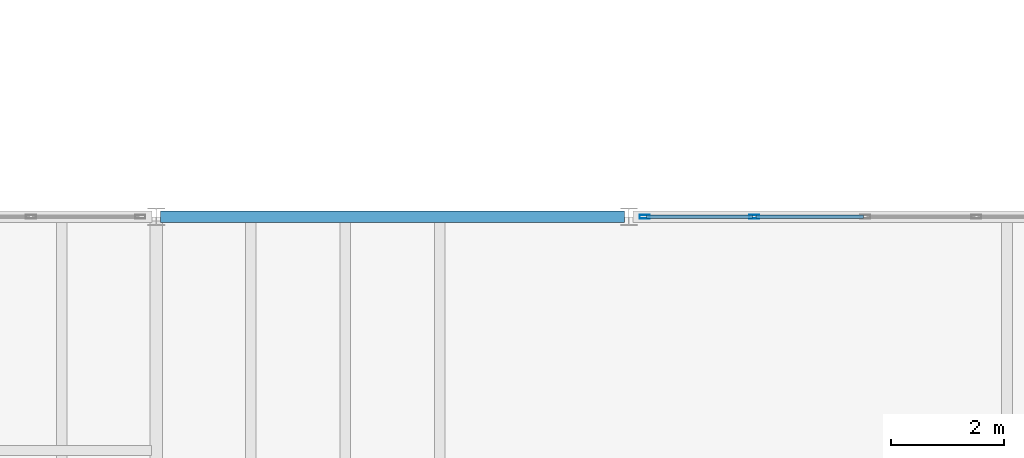
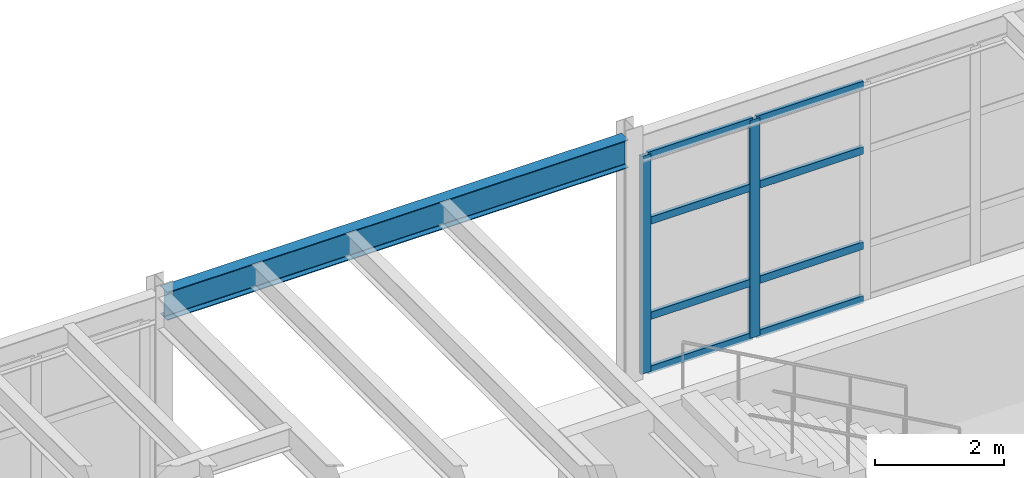
# One storey, part 53 of 116: 10 members, 1 beam, 1 element without a shape of its own.
"""IFC4 building model written with IfcOpenShell, lengths in metres."""

from ifc_helpers import new_model, si_unit, direction, frame, origin, origin_2d, place, context, subcontext, project, spatial, hollow_rectangle, i_section, extrude, material, layer, layer_set, material_profile, profile_set, type_object, element, aggregate, save


model = new_model("IFC4")

# Units and contexts
model_context = context("Model", 3, precision=1e-05, world=origin(), true_north=direction((0.0, 1.0)))
body_context = subcontext(model_context, "Body", "Model", "MODEL_VIEW")
ifc_project = project(units=[si_unit("LENGTHUNIT", "METRE"), si_unit("AREAUNIT", "SQUARE_METRE"), si_unit("VOLUMEUNIT", "CUBIC_METRE"), si_unit("PLANEANGLEUNIT", "RADIAN"), si_unit("MASSUNIT", "GRAM", prefix="KILO")], contexts=[model_context])

# Site, building, storey
site_placement = place(None, origin())
site = spatial("IfcSite", under=ifc_project, at=site_placement, CompositionType="ELEMENT")
building_placement = place(site_placement, origin())
building = spatial("IfcBuilding", under=site, at=building_placement, Name="Selat Folded Stagehouse", CompositionType="ELEMENT")
storey_placement = place(building_placement, frame((0.0, 0.0, 5.39990234375)))
storey = spatial("IfcBuildingStorey", under=building, at=storey_placement, Name="L01", CompositionType="ELEMENT", Elevation=5.39990234375)

# Beam
ifc_material_1 = material(Name="Steel S355", Category="steel")
ifc_material_profile_1 = material_profile(ifc_material_1, i_section(OverallWidth=0.209228515625, OverallDepth=0.533203125, WebThickness=0.010009765625, FlangeThickness=0.015625, FilletRadius=0.0126953125, at=origin_2d()), Name="UKB 533x210x92")
ifc_profile_set_1 = profile_set([ifc_material_profile_1], Name="Steel S355")
beam_type = type_object("IfcBeamType", Name="BM-GIRD-533x210x92", PredefinedType="BEAM", material=ifc_profile_set_1)
beam_placement = place(storey_placement, frame((92.47705078125, 17.800048828125, 4.3134765625), z_axis=(1.0, 0.0, 0.0), x_axis=(0.0, 1.0, 0.0)))
element("IfcBeam", 1, at=beam_placement, inside=storey, type_object=beam_type, Name="L01 primary x-girder 0773", PredefinedType="BEAM", context=body_context, shape_type="SweptSolid", body=[
    extrude(i_section(OverallWidth=0.209228515625, OverallDepth=0.533203125, WebThickness=0.010009765625, FlangeThickness=0.015625, FilletRadius=0.0126953125, at=origin_2d()), origin(), (0.0, 0.0, 1.0), 8.245849609375),
])

# Curtain wall, members
ifc_material_2 = material(Name="Aluminium 6063-T6", Category="aluminium")
ifc_layer = layer(ifc_material_2, 0.195068359375)
ifc_layer_set = layer_set([ifc_layer], Name="Aluminium 6063-T6")
curtain_wall_type = type_object("IfcCurtainWallType", Name="CW-FYR-COURT", PredefinedType="NOTDEFINED", material=ifc_layer_set)
curtain_wall_placement = place(storey_placement, origin())
curtain_wall = element("IfcCurtainWall", 2, at=curtain_wall_placement, inside=storey, type_object=curtain_wall_type, Name="L01 curtain wall CW-FYR-L01-12", PredefinedType="NOTDEFINED")
ifc_material_profile_2 = material_profile(ifc_material_2, hollow_rectangle(XDim=0.06494140625, YDim=0.179931640625, WallThickness=0.00390625, at=origin_2d()), Name="ALU 180x65x4.0")
ifc_profile_set_2 = profile_set([ifc_material_profile_2], Name="Aluminium 6063-T6")
member_type_1 = type_object("IfcMemberType", Name="CWM-MUL-180x65", PredefinedType="MULLION", material=ifc_profile_set_2)
member_1_placement = place(storey_placement, frame((101.08251953125, 17.800048828125, 0.0), z_axis=(0.0, 0.0, 1.0), x_axis=(0.0, 1.0, 0.0)))
member_1 = element("IfcMember", 3, at=member_1_placement, type_object=member_type_1, Name="CW-05 mullion 1", PredefinedType="MULLION", context=body_context, shape_type="SweptSolid", body=[
    extrude(hollow_rectangle(XDim=0.06494140625, YDim=0.179931640625, WallThickness=0.00390625, at=origin_2d()), origin(), (0.0, 0.0, 1.0), 4.1201171875),
])
member_2_placement = place(storey_placement, frame((103.02490234375, 17.800048828125, 0.0), z_axis=(0.0, 0.0, 1.0), x_axis=(0.0, 1.0, 0.0)))
member_2 = element("IfcMember", 4, at=member_2_placement, type_object=member_type_1, Name="CW-05 mullion 2", PredefinedType="MULLION", context=body_context, shape_type="SweptSolid", body=[
    extrude(hollow_rectangle(XDim=0.06494140625, YDim=0.179931640625, WallThickness=0.00390625, at=origin_2d()), origin(), (0.0, 0.0, 1.0), 4.1201171875),
])
ifc_material_profile_3 = material_profile(ifc_material_2, hollow_rectangle(XDim=0.06494140625, YDim=0.139892578125, WallThickness=0.00390625, at=origin_2d()), Name="ALU 140x65x4.0")
ifc_profile_set_3 = profile_set([ifc_material_profile_3], Name="Aluminium 6063-T6")
member_type_2 = type_object("IfcMemberType", Name="CWM-TRN-140x65", PredefinedType="USERDEFINED", material=ifc_profile_set_3)
member_3_placement = place(storey_placement, frame((101.114990234375, 17.800048828125, 0.03271484375), z_axis=(1.0, 0.0, 0.0), x_axis=(0.0, 1.0, 0.0)))
member_3 = element("IfcMember", 5, at=member_3_placement, type_object=member_type_2, Name="CW-05 transom 1.1", ObjectType="TRANSOM", PredefinedType="USERDEFINED", context=body_context, shape_type="SweptSolid", body=[
    extrude(hollow_rectangle(XDim=0.06494140625, YDim=0.139892578125, WallThickness=0.00390625, at=origin_2d()), origin(), (0.0, 0.0, 1.0), 1.87744140625),
])
member_4_placement = place(storey_placement, frame((101.114990234375, 17.800048828125, 1.050048828125), z_axis=(1.0, 0.0, 0.0), x_axis=(0.0, 1.0, 0.0)))
member_4 = element("IfcMember", 6, at=member_4_placement, type_object=member_type_2, Name="CW-05 transom 1.2", ObjectType="TRANSOM", PredefinedType="USERDEFINED", context=body_context, shape_type="SweptSolid", body=[
    extrude(hollow_rectangle(XDim=0.06494140625, YDim=0.139892578125, WallThickness=0.00390625, at=origin_2d()), origin(), (0.0, 0.0, 1.0), 1.87744140625),
])
member_5_placement = place(storey_placement, frame((101.114990234375, 17.800048828125, 2.85009765625), z_axis=(1.0, 0.0, 0.0), x_axis=(0.0, 1.0, 0.0)))
member_5 = element("IfcMember", 7, at=member_5_placement, type_object=member_type_2, Name="CW-05 transom 1.3", ObjectType="TRANSOM", PredefinedType="USERDEFINED", context=body_context, shape_type="SweptSolid", body=[
    extrude(hollow_rectangle(XDim=0.06494140625, YDim=0.139892578125, WallThickness=0.00390625, at=origin_2d()), origin(), (0.0, 0.0, 1.0), 1.87744140625),
])
member_6_placement = place(storey_placement, frame((101.114990234375, 17.800048828125, 4.087646484375), z_axis=(1.0, 0.0, 0.0), x_axis=(0.0, 1.0, 0.0)))
member_6 = element("IfcMember", 8, at=member_6_placement, type_object=member_type_2, Name="CW-05 transom 1.4", ObjectType="TRANSOM", PredefinedType="USERDEFINED", context=body_context, shape_type="SweptSolid", body=[
    extrude(hollow_rectangle(XDim=0.06494140625, YDim=0.139892578125, WallThickness=0.00390625, at=origin_2d()), origin(), (0.0, 0.0, 1.0), 1.87744140625),
])
member_7_placement = place(storey_placement, frame((103.0576171875, 17.800048828125, 0.03271484375), z_axis=(1.0, 0.0, 0.0), x_axis=(0.0, 1.0, 0.0)))
member_7 = element("IfcMember", 9, at=member_7_placement, type_object=member_type_2, Name="CW-05 transom 2.1", ObjectType="TRANSOM", PredefinedType="USERDEFINED", context=body_context, shape_type="SweptSolid", body=[
    extrude(hollow_rectangle(XDim=0.06494140625, YDim=0.139892578125, WallThickness=0.00390625, at=origin_2d()), origin(), (0.0, 0.0, 1.0), 1.909912109375),
])
member_8_placement = place(storey_placement, frame((103.0576171875, 17.800048828125, 1.050048828125), z_axis=(1.0, 0.0, 0.0), x_axis=(0.0, 1.0, 0.0)))
member_8 = element("IfcMember", 10, at=member_8_placement, type_object=member_type_2, Name="CW-05 transom 2.2", ObjectType="TRANSOM", PredefinedType="USERDEFINED", context=body_context, shape_type="SweptSolid", body=[
    extrude(hollow_rectangle(XDim=0.06494140625, YDim=0.139892578125, WallThickness=0.00390625, at=origin_2d()), origin(), (0.0, 0.0, 1.0), 1.909912109375),
])
member_9_placement = place(storey_placement, frame((103.0576171875, 17.800048828125, 2.85009765625), z_axis=(1.0, 0.0, 0.0), x_axis=(0.0, 1.0, 0.0)))
member_9 = element("IfcMember", 11, at=member_9_placement, type_object=member_type_2, Name="CW-05 transom 2.3", ObjectType="TRANSOM", PredefinedType="USERDEFINED", context=body_context, shape_type="SweptSolid", body=[
    extrude(hollow_rectangle(XDim=0.06494140625, YDim=0.139892578125, WallThickness=0.00390625, at=origin_2d()), origin(), (0.0, 0.0, 1.0), 1.909912109375),
])
member_10_placement = place(storey_placement, frame((103.0576171875, 17.800048828125, 4.087646484375), z_axis=(1.0, 0.0, 0.0), x_axis=(0.0, 1.0, 0.0)))
member_10 = element("IfcMember", 12, at=member_10_placement, type_object=member_type_2, Name="CW-05 transom 2.4", ObjectType="TRANSOM", PredefinedType="USERDEFINED", context=body_context, shape_type="SweptSolid", body=[
    extrude(hollow_rectangle(XDim=0.06494140625, YDim=0.139892578125, WallThickness=0.00390625, at=origin_2d()), origin(), (0.0, 0.0, 1.0), 1.909912109375),
])
aggregate(curtain_wall, [member_1, member_2, member_3, member_4, member_5, member_6, member_7, member_8, member_9, member_10])

save(model, "model.ifc")
